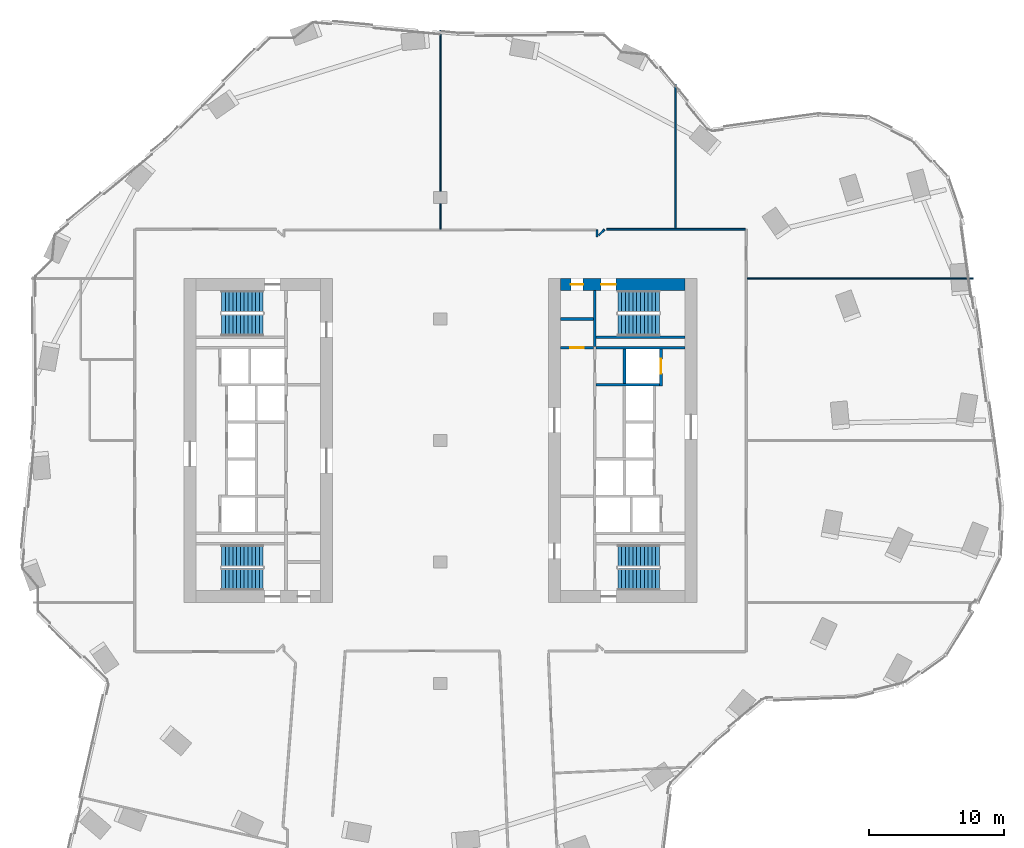
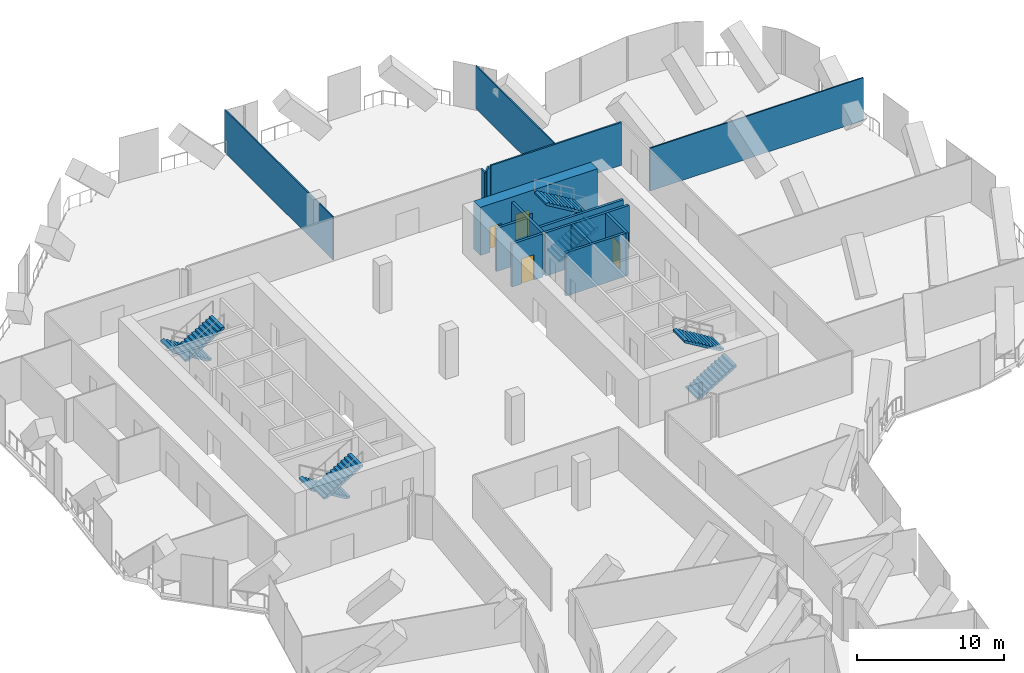
# One storey, part 25 of 29: 15 walls, 8 stair flights, 4 doors, 4 openings, 4 elements without a shape of their own.
"""IFC4 building model written with IfcOpenShell, lengths in metres."""

from ifc_helpers import new_model, si_unit, direction, frame, frame_2d, origin, place, context, subcontext, project, spatial, polyline, rectangle, outline, extrude, material, layer, layer_set, type_object, element, fill, aggregate, save


model = new_model("IFC4")

# Units and contexts
model_context = context("Model", 3, precision=1e-05, world=origin(), true_north=direction((0.0, 1.0)))
body_context = subcontext(model_context, "Body", "Model", "MODEL_VIEW")
ifc_project = project(units=[si_unit("LENGTHUNIT", "METRE"), si_unit("AREAUNIT", "SQUARE_METRE"), si_unit("VOLUMEUNIT", "CUBIC_METRE"), si_unit("PLANEANGLEUNIT", "RADIAN"), si_unit("MASSUNIT", "GRAM", prefix="KILO")], contexts=[model_context])

# Site, building, storey
site_placement = place(None, origin())
site = spatial("IfcSite", under=ifc_project, at=site_placement, CompositionType="ELEMENT")
building_placement = place(site_placement, origin())
building = spatial("IfcBuilding", under=site, at=building_placement, Name="Orlundy Tower", CompositionType="ELEMENT")
storey_placement = place(building_placement, frame((0.0, 0.0, 184.60009765625)))
storey = spatial("IfcBuildingStorey", under=building, at=storey_placement, Name="L48", CompositionType="ELEMENT", Elevation=184.60009765625)

# Wall, openings, doors
ifc_material_1 = material(Name="Concrete C70/85", Category="concrete")
ifc_layer_1 = layer(ifc_material_1, 0.89990234375)
ifc_layer_set_1 = layer_set([ifc_layer_1], Name="CORE WALL 900 C70/85")
wall_type_1 = type_object("IfcWallType", Name="CORE WALL 900 C70/85", PredefinedType="SHEAR", material=ifc_layer_set_1)
wall_1_placement = place(storey_placement, frame((8.89990234375, 11.550048828125, 0.0), z_axis=(0.0, 0.0, 1.0), x_axis=(1.0, 0.0, 0.0)))
wall_1 = element("IfcWall", 1, at=wall_1_placement, inside=storey, type_object=wall_type_1, Name="Core wall E-N L48", PredefinedType="SHEAR", context=body_context, shape_type="SweptSolid", body=[
    extrude(rectangle(XDim=9.2001953125, YDim=0.89990234375, at=frame_2d((4.60009765625, 0.0))), origin(), (0.0, 0.0, 1.0), 4.0),
])
opening_1_placement = place(wall_1_placement, frame((3.0, 0.0, 0.0)))
opening_1 = element("IfcOpeningElement", 2, at=opening_1_placement, cuts=wall_1, Name="Opening 37062", PredefinedType="OPENING", context=body_context, shape_type="SweptSolid", body=[
    extrude(rectangle(XDim=1.10009765625, YDim=2.10009765625, at=frame_2d((0.550048828125, 1.050048828125))), frame((0.0, 0.4599609375, 0.0), z_axis=(0.0, -1.0, 0.0), x_axis=(1.0, 0.0, 0.0)), (0.0, 0.0, 1.0), 0.919921875),
])
opening_2_placement = place(wall_1_placement, frame((0.77001953125, 0.0, 0.0)))
opening_2 = element("IfcOpeningElement", 3, at=opening_2_placement, cuts=wall_1, Name="Opening 37064", PredefinedType="OPENING", context=body_context, shape_type="SweptSolid", body=[
    extrude(rectangle(XDim=0.89990234375, YDim=2.10009765625, at=frame_2d((0.449951171875, 1.050048828125))), frame((0.0, 0.4599609375, 0.0), z_axis=(0.0, -1.0, 0.0), x_axis=(1.0, 0.0, 0.0)), (0.0, 0.0, 1.0), 0.919921875),
])
ifc_material_2 = material(Name="Timber door set", Category="wood")
door_type_1 = type_object("IfcDoorType", Name="Room Door 900x2100", OperationType="SINGLE_SWING_LEFT", PredefinedType="DOOR", material=ifc_material_2)
door_1_placement = place(opening_2_placement, origin())
door_1 = element("IfcDoor", 4, at=door_1_placement, inside=storey, type_object=door_type_1, Name="Store door 37064", OperationType="SINGLE_SWING_LEFT", OverallHeight=2.10009765625, OverallWidth=0.89990234375, PredefinedType="DOOR", context=body_context, shape_type="SweptSolid", body=[
    extrude(rectangle(XDim=0.89990234375, YDim=2.10009765625, at=frame_2d((0.449951171875, 1.050048828125))), frame((0.0, 0.02490234375, 0.0), z_axis=(0.0, -1.0, 0.0), x_axis=(1.0, 0.0, 0.0)), (0.0, 0.0, 1.0), 0.050048828125),
])
fill(opening_2, door_1)
ifc_material_3 = material(Name="Steel door set", Category="steel")
door_type_2 = type_object("IfcDoorType", Name="Stair Door 1100x2100", OperationType="SINGLE_SWING_LEFT", PredefinedType="DOOR", material=ifc_material_3)
door_2_placement = place(opening_1_placement, origin())
door_2 = element("IfcDoor", 5, at=door_2_placement, inside=storey, type_object=door_type_2, Name="Stair door 37062", OperationType="SINGLE_SWING_LEFT", OverallHeight=2.10009765625, OverallWidth=1.10009765625, PredefinedType="DOOR", context=body_context, shape_type="SweptSolid", body=[
    extrude(rectangle(XDim=1.10009765625, YDim=2.10009765625, at=frame_2d((0.550048828125, 1.050048828125))), frame((0.0, 0.02490234375, 0.0), z_axis=(0.0, -1.0, 0.0), x_axis=(1.0, 0.0, 0.0)), (0.0, 0.0, 1.0), 0.050048828125),
])
fill(opening_1, door_2)

# Walls
ifc_material_4 = material(Name="Gypsum board partition")
ifc_layer_2 = layer(ifc_material_4, 0.10009765625)
ifc_layer_set_2 = layer_set([ifc_layer_2], Name="Floor partition 100")
wall_type_2 = type_object("IfcWallType", Name="Floor partition 100", PredefinedType="PARTITIONING", material=ifc_layer_set_2)
wall_2_placement = place(storey_placement, frame((22.7119140625, 12.0, 0.0), z_axis=(0.0, 0.0, 1.0), x_axis=(1.0, 0.0, 0.0)))
element("IfcWall", 6, at=wall_2_placement, inside=storey, type_object=wall_type_2, Name="wall-int-L48-044", PredefinedType="PARTITIONING", context=body_context, shape_type="SweptSolid", body=[
    extrude(rectangle(XDim=16.77099609375, YDim=0.10009765625, at=frame_2d((8.385498046875, 0.0))), origin(), (0.0, 0.0, 1.0), 3.559814453125),
])
wall_3_placement = place(storey_placement, frame((17.405029296875, 15.712890625, 0.0), z_axis=(0.0, 0.0, 1.0), x_axis=(0.0, 1.0, 0.0)))
element("IfcWall", 7, at=wall_3_placement, inside=storey, type_object=wall_type_2, Name="wall-int-L48-083", PredefinedType="PARTITIONING", context=body_context, shape_type="SweptSolid", body=[
    extrude(rectangle(XDim=10.68701171875, YDim=0.10009765625, at=frame_2d((5.343505859375, 0.0))), origin(), (0.0, 0.0, 1.0), 3.559814453125),
])
wall_4_placement = place(storey_placement, frame((0.0, 15.6640625, 0.0), z_axis=(0.0, 0.0, 1.0), x_axis=(0.0, 1.0, 0.0)))
element("IfcWall", 8, at=wall_4_placement, inside=storey, type_object=wall_type_2, Name="wall-int-L48-092", PredefinedType="PARTITIONING", context=body_context, shape_type="SweptSolid", body=[
    extrude(rectangle(XDim=14.717041015625, YDim=0.10009765625, at=frame_2d((7.3583984375, 0.0))), origin(), (0.0, 0.0, 1.0), 3.559814453125),
])
ifc_material_5 = material(Name="Gypsum board partition, double layer")
ifc_layer_3 = layer(ifc_material_5, 0.125)
ifc_layer_set_3 = layer_set([ifc_layer_3], Name="Floor partition 125")
wall_type_3 = type_object("IfcWallType", Name="Floor partition 125", PredefinedType="PARTITIONING", material=ifc_layer_set_3)
wall_5_placement = place(storey_placement, frame((12.31103515625, 15.65087890625, 0.0), z_axis=(0.0, 0.0, 1.0), x_axis=(1.0, 0.0, 0.0)))
element("IfcWall", 9, at=wall_5_placement, inside=storey, type_object=wall_type_3, Name="wall-int-L48-047", PredefinedType="PARTITIONING", context=body_context, shape_type="SweptSolid", body=[
    extrude(rectangle(XDim=10.27587890625, YDim=0.125, at=frame_2d((5.137939453125, 0.0))), origin(), (0.0, 0.0, 1.0), 3.559814453125),
])
wall_6_placement = place(storey_placement, frame((11.72998046875, 15.20703125, 0.0), z_axis=(0.0, 0.0, 1.0), x_axis=(0.707310822952, 0.706902680526, 0.0)))
element("IfcWall", 10, at=wall_6_placement, inside=storey, type_object=wall_type_3, Name="wall-int-L48-060", PredefinedType="PARTITIONING", context=body_context, shape_type="SweptSolid", body=[
    extrude(rectangle(XDim=0.59814453125, YDim=0.125, at=frame_2d((0.299072265625, 0.0))), origin(), (0.0, 0.0, 1.0), 3.559814453125),
])
wall_7_placement = place(storey_placement, frame((11.60107421875, 15.092041015625, 0.0), z_axis=(0.0, 0.0, 1.0), x_axis=(0.0, 1.0, 0.0)))
element("IfcWall", 11, at=wall_7_placement, inside=storey, type_object=wall_type_3, Name="wall-int-L48-085", PredefinedType="PARTITIONING", context=body_context, shape_type="SweptSolid", body=[
    extrude(rectangle(XDim=0.508056640625, YDim=0.125, at=frame_2d((0.25390625, 0.0))), origin(), (0.0, 0.0, 1.0), 3.559814453125),
])
ifc_material_6 = material(Name="Concrete C40/50", Category="concrete")
ifc_layer_4 = layer(ifc_material_6, 0.199951171875)
ifc_layer_set_4 = layer_set([ifc_layer_4], Name="Load-bearing Shaft Wall 200")
wall_type_4 = type_object("IfcWallType", Name="Load-bearing Shaft Wall 200", PredefinedType="SOLIDWALL", material=ifc_layer_set_4)
wall_8_placement = place(storey_placement, frame((11.43994140625, 11.10009765625, 0.0), z_axis=(0.0, 0.0, 1.0), x_axis=(0.0, -1.0, 0.0)))
element("IfcWall", 12, at=wall_8_placement, inside=storey, type_object=wall_type_4, Name="Shaft wall E37-stair-end-s", PredefinedType="SOLIDWALL", context=body_context, shape_type="SweptSolid", body=[
    extrude(rectangle(XDim=4.125, YDim=0.199951171875, at=frame_2d((2.0625, 0.0))), origin(), (0.0, 0.0, 1.0), 3.579833984375),
])
wall_9_placement = place(storey_placement, frame((11.5400390625, 7.64990234375, 0.0), z_axis=(0.0, 0.0, 1.0), x_axis=(1.0, 0.0, 0.0)))
element("IfcWall", 13, at=wall_9_placement, inside=storey, type_object=wall_type_4, Name="Shaft wall E37-stair-side-s", PredefinedType="SOLIDWALL", context=body_context, shape_type="SweptSolid", body=[
    extrude(rectangle(XDim=6.56005859375, YDim=0.199951171875, at=frame_2d((3.280029296875, 0.0))), origin(), (0.0, 0.0, 1.0), 3.579833984375),
])

# Wall, opening, door
ifc_material_7 = material(Name="Gypsum board partition on steel studs", Category="steel")
ifc_layer_5 = layer(ifc_material_7, 0.199951171875)
ifc_layer_set_5 = layer_set([ifc_layer_5], Name="Partition 200")
wall_type_5 = type_object("IfcWallType", Name="Partition 200", PredefinedType="PARTITIONING", material=ifc_layer_set_5)
wall_10_placement = place(storey_placement, frame((8.89990234375, 6.875, 0.0), z_axis=(0.0, 0.0, 1.0), x_axis=(1.0, 0.0, 0.0)))
wall_10 = element("IfcWall", 14, at=wall_10_placement, inside=storey, type_object=wall_type_5, Name="Partition wall E37-end-s", PredefinedType="PARTITIONING", context=body_context, shape_type="SweptSolid", body=[
    extrude(rectangle(XDim=2.440185546875, YDim=0.199951171875, at=frame_2d((1.22021484375, 0.0))), origin(), (0.0, 0.0, 1.0), 3.579833984375),
])
opening_3_placement = place(wall_10_placement, frame((0.719970703125, 0.0, 0.0)))
opening_3 = element("IfcOpeningElement", 15, at=opening_3_placement, cuts=wall_10, Name="Opening 37065", PredefinedType="OPENING", context=body_context, shape_type="SweptSolid", body=[
    extrude(rectangle(XDim=1.0, YDim=2.10009765625, at=frame_2d((0.5, 1.050048828125))), frame((0.0, 0.110107421875, 0.0), z_axis=(0.0, -1.0, 0.0), x_axis=(1.0, 0.0, 0.0)), (0.0, 0.0, 1.0), 0.22021484375),
])
ifc_material_8 = material(Name="Timber door set", Category="wood")
door_type_3 = type_object("IfcDoorType", Name="Accessible Door 1000x2100", OperationType="SINGLE_SWING_LEFT", PredefinedType="DOOR", material=ifc_material_8)
door_3_placement = place(opening_3_placement, origin())
door_3 = element("IfcDoor", 16, at=door_3_placement, inside=storey, type_object=door_type_3, Name="Accessible WC door 37065", OperationType="SINGLE_SWING_RIGHT", OverallHeight=2.10009765625, OverallWidth=1.0, PredefinedType="DOOR", context=body_context, shape_type="SweptSolid", body=[
    extrude(rectangle(XDim=1.0, YDim=2.10009765625, at=frame_2d((0.5, 1.050048828125))), frame((0.0, 0.02490234375, 0.0), z_axis=(0.0, -1.0, 0.0), x_axis=(1.0, 0.0, 0.0)), (0.0, 0.0, 1.0), 0.050048828125),
])
fill(opening_3, door_3)

# Walls
wall_11_placement = place(storey_placement, frame((8.89990234375, 9.0, 0.0), z_axis=(0.0, 0.0, 1.0), x_axis=(1.0, 0.0, 0.0)))
element("IfcWall", 17, at=wall_11_placement, inside=storey, type_object=wall_type_5, Name="Partition wall E37-room-s0", PredefinedType="PARTITIONING", context=body_context, shape_type="SweptSolid", body=[
    extrude(rectangle(XDim=2.440185546875, YDim=0.199951171875, at=frame_2d((1.22021484375, 0.0))), origin(), (0.0, 0.0, 1.0), 3.579833984375),
])
ifc_material_9 = material(Name="Fire-rated blockwork shaft wall", Category="masonry")
ifc_layer_6 = layer(ifc_material_9, 0.199951171875)
ifc_layer_set_6 = layer_set([ifc_layer_6], Name="Shaft Wall 200")
wall_type_6 = type_object("IfcWallType", Name="Shaft Wall 200", PredefinedType="SOLIDWALL", material=ifc_layer_set_6)
wall_12_placement = place(storey_placement, frame((11.5400390625, 6.875, 0.0), z_axis=(0.0, 0.0, 1.0), x_axis=(1.0, 0.0, 0.0)))
element("IfcWall", 18, at=wall_12_placement, inside=storey, type_object=wall_type_6, Name="Shaft wall E37-zone-s", PredefinedType="SOLIDWALL", context=body_context, shape_type="SweptSolid", body=[
    extrude(rectangle(XDim=6.56005859375, YDim=0.199951171875, at=frame_2d((3.280029296875, 0.0))), origin(), (0.0, 0.0, 1.0), 3.579833984375),
])
wall_13_placement = place(storey_placement, frame((11.5400390625, 4.125, 0.0), z_axis=(0.0, 0.0, 1.0), x_axis=(1.0, 0.0, 0.0)))
element("IfcWall", 19, at=wall_13_placement, inside=storey, type_object=wall_type_6, Name="Shaft wall E37-cross-4.125", PredefinedType="SOLIDWALL", context=body_context, shape_type="SweptSolid", body=[
    extrude(rectangle(XDim=4.699951171875, YDim=0.199951171875, at=frame_2d((2.35009765625, 0.0))), origin(), (0.0, 0.0, 1.0), 3.579833984375),
])
wall_14_placement = place(storey_placement, frame((13.639892578125, 6.77490234375, 0.0), z_axis=(0.0, 0.0, 1.0), x_axis=(0.0, -1.0, 0.0)))
element("IfcWall", 20, at=wall_14_placement, inside=storey, type_object=wall_type_6, Name="Shaft wall E37-mid-a", PredefinedType="SOLIDWALL", context=body_context, shape_type="SweptSolid", body=[
    extrude(rectangle(XDim=2.5498046875, YDim=0.199951171875, at=frame_2d((1.27490234375, 0.0))), origin(), (0.0, 0.0, 1.0), 3.579833984375),
])

# Wall, opening, door
wall_15_placement = place(storey_placement, frame((16.340087890625, 6.77490234375, 0.0), z_axis=(0.0, 0.0, 1.0), x_axis=(0.0, -1.0, 0.0)))
wall_15 = element("IfcWall", 21, at=wall_15_placement, inside=storey, type_object=wall_type_6, Name="Shaft wall E37-front-o-a", PredefinedType="SOLIDWALL", context=body_context, shape_type="SweptSolid", body=[
    extrude(rectangle(XDim=2.75, YDim=0.199951171875, at=frame_2d((1.375, 0.0))), origin(), (0.0, 0.0, 1.0), 3.579833984375),
])
opening_4_placement = place(wall_15_placement, frame((0.72509765625, 0.0, 0.0)))
opening_4 = element("IfcOpeningElement", 22, at=opening_4_placement, cuts=wall_15, Name="Opening 37050", PredefinedType="OPENING", context=body_context, shape_type="SweptSolid", body=[
    extrude(rectangle(XDim=1.10009765625, YDim=2.10009765625, at=frame_2d((0.550048828125, 1.050048828125))), frame((0.0, 0.110107421875, 0.0), z_axis=(0.0, -1.0, 0.0), x_axis=(1.0, 0.0, 0.0)), (0.0, 0.0, 1.0), 0.22021484375),
])
ifc_material_10 = material(Name="Steel door set", Category="steel")
door_type_4 = type_object("IfcDoorType", Name="Landing Door 1100x2100", OperationType="DOUBLE_DOOR_SLIDING", PredefinedType="DOOR", material=ifc_material_10)
door_4_placement = place(opening_4_placement, origin())
door_4 = element("IfcDoor", 23, at=door_4_placement, inside=storey, type_object=door_type_4, Name="Lift landing door LV-02 37050", OperationType="DOUBLE_DOOR_SLIDING", OverallHeight=2.10009765625, OverallWidth=1.10009765625, PredefinedType="DOOR", context=body_context, shape_type="SweptSolid", body=[
    extrude(rectangle(XDim=1.10009765625, YDim=2.10009765625, at=frame_2d((0.550048828125, 1.050048828125))), frame((0.0, 0.02490234375, 0.0), z_axis=(0.0, -1.0, 0.0), x_axis=(1.0, 0.0, 0.0)), (0.0, 0.0, 1.0), 0.050048828125),
])
fill(opening_4, door_4)

# Stair, stair flights
ifc_material_11 = material(Name="Concrete C50/60", Category="concrete")
stair_type = type_object("IfcStairType", Name="Exit Stair 24 risers", PredefinedType="HALF_TURN_STAIR", material=ifc_material_11)
stair_1_placement = place(storey_placement, origin())
stair_1 = element("IfcStair", 24, at=stair_1_placement, inside=storey, type_object=stair_type, Name="L48 Exit Stair ST-W1", PredefinedType="HALF_TURN_STAIR")
ifc_material_12 = material(Name="Concrete C50/60", Category="concrete")
stair_flight_type = type_object("IfcStairFlightType", Name="Stair Flight 12 risers", PredefinedType="STRAIGHT", material=ifc_material_12)
stair_flight_1_placement = place(storey_placement, frame((-13.139892578125, 10.300048828125, 0.0), z_axis=(0.0, 0.0, 1.0), x_axis=(-1.0, 0.0, 0.0)))
stair_flight_1 = element("IfcStairFlight", 25, at=stair_flight_1_placement, type_object=stair_flight_type, Name="ST-W1 flight 1", NumberOfRisers=12, NumberOfTreads=11, PredefinedType="STRAIGHT", RiserHeight=0.166666667, TreadLength=0.28, context=body_context, shape_type="SweptSolid", body=[
    extrude(outline(polyline([(0.0, 0.0), (0.0, 0.166748046875), (0.280029296875, 0.166748046875), (0.280029296875, 0.333251953125), (0.56005859375, 0.333251953125), (0.56005859375, 0.5), (0.840087890625, 0.5), (0.840087890625, 0.666748046875), (1.1201171875, 0.666748046875), (1.1201171875, 0.833251953125), (1.39990234375, 0.833251953125), (1.39990234375, 1.0), (1.679931640625, 1.0), (1.679931640625, 1.166748046875), (1.9599609375, 1.166748046875), (1.9599609375, 1.333251953125), (2.239990234375, 1.333251953125), (2.239990234375, 1.5), (2.52001953125, 1.5), (2.52001953125, 1.666748046875), (2.800048828125, 1.666748046875), (2.800048828125, 1.833251953125), (3.080078125, 1.833251953125), (3.080078125, 2.0), (3.080078125, 1.658935546875), (0.29296875, 0.0), (0.0, 0.0)])), frame((0.0, 0.800048828125, 0.0), z_axis=(0.0, -1.0, 0.0), x_axis=(1.0, 0.0, 0.0)), (0.0, 0.0, 1.0), 1.60009765625),
])
stair_flight_2_placement = place(storey_placement, frame((-16.219970703125, 8.550048828125, 2.0), z_axis=(0.0, 0.0, 1.0), x_axis=(1.0, 0.0, 0.0)))
stair_flight_2 = element("IfcStairFlight", 26, at=stair_flight_2_placement, type_object=stair_flight_type, Name="ST-W1 flight 2", NumberOfRisers=12, NumberOfTreads=11, PredefinedType="STRAIGHT", RiserHeight=0.166666667, TreadLength=0.28, context=body_context, shape_type="SweptSolid", body=[
    extrude(outline(polyline([(0.0, 0.0), (0.0, 0.166748046875), (0.280029296875, 0.166748046875), (0.280029296875, 0.333251953125), (0.56005859375, 0.333251953125), (0.56005859375, 0.5), (0.840087890625, 0.5), (0.840087890625, 0.666748046875), (1.1201171875, 0.666748046875), (1.1201171875, 0.833251953125), (1.39990234375, 0.833251953125), (1.39990234375, 1.0), (1.679931640625, 1.0), (1.679931640625, 1.166748046875), (1.9599609375, 1.166748046875), (1.9599609375, 1.333251953125), (2.239990234375, 1.333251953125), (2.239990234375, 1.5), (2.52001953125, 1.5), (2.52001953125, 1.666748046875), (2.800048828125, 1.666748046875), (2.800048828125, 1.833251953125), (3.080078125, 1.833251953125), (3.080078125, 2.0), (3.080078125, 1.658935546875), (0.29296875, 0.0), (0.0, 0.0)])), frame((0.0, 0.800048828125, 0.0), z_axis=(0.0, -1.0, 0.0), x_axis=(1.0, 0.0, 0.0)), (0.0, 0.0, 1.0), 1.60009765625),
])
aggregate(stair_1, [stair_flight_1, stair_flight_2])

stair_2_placement = place(storey_placement, origin())
stair_2 = element("IfcStair", 27, at=stair_2_placement, inside=storey, type_object=stair_type, Name="L48 Exit Stair ST-W2", PredefinedType="HALF_TURN_STAIR")
stair_flight_3_placement = place(storey_placement, frame((-13.139892578125, -8.550048828125, 0.0), z_axis=(0.0, 0.0, 1.0), x_axis=(-1.0, 0.0, 0.0)))
stair_flight_3 = element("IfcStairFlight", 28, at=stair_flight_3_placement, type_object=stair_flight_type, Name="ST-W2 flight 1", NumberOfRisers=12, NumberOfTreads=11, PredefinedType="STRAIGHT", RiserHeight=0.166666667, TreadLength=0.28, context=body_context, shape_type="SweptSolid", body=[
    extrude(outline(polyline([(0.0, 0.0), (0.0, 0.166748046875), (0.280029296875, 0.166748046875), (0.280029296875, 0.333251953125), (0.56005859375, 0.333251953125), (0.56005859375, 0.5), (0.840087890625, 0.5), (0.840087890625, 0.666748046875), (1.1201171875, 0.666748046875), (1.1201171875, 0.833251953125), (1.39990234375, 0.833251953125), (1.39990234375, 1.0), (1.679931640625, 1.0), (1.679931640625, 1.166748046875), (1.9599609375, 1.166748046875), (1.9599609375, 1.333251953125), (2.239990234375, 1.333251953125), (2.239990234375, 1.5), (2.52001953125, 1.5), (2.52001953125, 1.666748046875), (2.800048828125, 1.666748046875), (2.800048828125, 1.833251953125), (3.080078125, 1.833251953125), (3.080078125, 2.0), (3.080078125, 1.658935546875), (0.29296875, 0.0), (0.0, 0.0)])), frame((0.0, 0.800048828125, 0.0), z_axis=(0.0, -1.0, 0.0), x_axis=(1.0, 0.0, 0.0)), (0.0, 0.0, 1.0), 1.60009765625),
])
stair_flight_4_placement = place(storey_placement, frame((-16.219970703125, -10.300048828125, 2.0), z_axis=(0.0, 0.0, 1.0), x_axis=(1.0, 0.0, 0.0)))
stair_flight_4 = element("IfcStairFlight", 29, at=stair_flight_4_placement, type_object=stair_flight_type, Name="ST-W2 flight 2", NumberOfRisers=12, NumberOfTreads=11, PredefinedType="STRAIGHT", RiserHeight=0.166666667, TreadLength=0.28, context=body_context, shape_type="SweptSolid", body=[
    extrude(outline(polyline([(0.0, 0.0), (0.0, 0.166748046875), (0.280029296875, 0.166748046875), (0.280029296875, 0.333251953125), (0.56005859375, 0.333251953125), (0.56005859375, 0.5), (0.840087890625, 0.5), (0.840087890625, 0.666748046875), (1.1201171875, 0.666748046875), (1.1201171875, 0.833251953125), (1.39990234375, 0.833251953125), (1.39990234375, 1.0), (1.679931640625, 1.0), (1.679931640625, 1.166748046875), (1.9599609375, 1.166748046875), (1.9599609375, 1.333251953125), (2.239990234375, 1.333251953125), (2.239990234375, 1.5), (2.52001953125, 1.5), (2.52001953125, 1.666748046875), (2.800048828125, 1.666748046875), (2.800048828125, 1.833251953125), (3.080078125, 1.833251953125), (3.080078125, 2.0), (3.080078125, 1.658935546875), (0.29296875, 0.0), (0.0, 0.0)])), frame((0.0, 0.800048828125, 0.0), z_axis=(0.0, -1.0, 0.0), x_axis=(1.0, 0.0, 0.0)), (0.0, 0.0, 1.0), 1.60009765625),
])
aggregate(stair_2, [stair_flight_3, stair_flight_4])

stair_3_placement = place(storey_placement, origin())
stair_3 = element("IfcStair", 30, at=stair_3_placement, inside=storey, type_object=stair_type, Name="L48 Exit Stair ST-E1", PredefinedType="HALF_TURN_STAIR")
stair_flight_5_placement = place(storey_placement, frame((13.139892578125, -10.300048828125, 0.0), z_axis=(0.0, 0.0, 1.0), x_axis=(1.0, 0.0, 0.0)))
stair_flight_5 = element("IfcStairFlight", 31, at=stair_flight_5_placement, type_object=stair_flight_type, Name="ST-E1 flight 1", NumberOfRisers=12, NumberOfTreads=11, PredefinedType="STRAIGHT", RiserHeight=0.166666667, TreadLength=0.28, context=body_context, shape_type="SweptSolid", body=[
    extrude(outline(polyline([(0.0, 0.0), (0.0, 0.166748046875), (0.280029296875, 0.166748046875), (0.280029296875, 0.333251953125), (0.56005859375, 0.333251953125), (0.56005859375, 0.5), (0.840087890625, 0.5), (0.840087890625, 0.666748046875), (1.1201171875, 0.666748046875), (1.1201171875, 0.833251953125), (1.39990234375, 0.833251953125), (1.39990234375, 1.0), (1.679931640625, 1.0), (1.679931640625, 1.166748046875), (1.9599609375, 1.166748046875), (1.9599609375, 1.333251953125), (2.239990234375, 1.333251953125), (2.239990234375, 1.5), (2.52001953125, 1.5), (2.52001953125, 1.666748046875), (2.800048828125, 1.666748046875), (2.800048828125, 1.833251953125), (3.080078125, 1.833251953125), (3.080078125, 2.0), (3.080078125, 1.658935546875), (0.29296875, 0.0), (0.0, 0.0)])), frame((0.0, 0.800048828125, 0.0), z_axis=(0.0, -1.0, 0.0), x_axis=(1.0, 0.0, 0.0)), (0.0, 0.0, 1.0), 1.60009765625),
])
stair_flight_6_placement = place(storey_placement, frame((16.219970703125, -8.550048828125, 2.0), z_axis=(0.0, 0.0, 1.0), x_axis=(-1.0, 0.0, 0.0)))
stair_flight_6 = element("IfcStairFlight", 32, at=stair_flight_6_placement, type_object=stair_flight_type, Name="ST-E1 flight 2", NumberOfRisers=12, NumberOfTreads=11, PredefinedType="STRAIGHT", RiserHeight=0.166666667, TreadLength=0.28, context=body_context, shape_type="SweptSolid", body=[
    extrude(outline(polyline([(0.0, 0.0), (0.0, 0.166748046875), (0.280029296875, 0.166748046875), (0.280029296875, 0.333251953125), (0.56005859375, 0.333251953125), (0.56005859375, 0.5), (0.840087890625, 0.5), (0.840087890625, 0.666748046875), (1.1201171875, 0.666748046875), (1.1201171875, 0.833251953125), (1.39990234375, 0.833251953125), (1.39990234375, 1.0), (1.679931640625, 1.0), (1.679931640625, 1.166748046875), (1.9599609375, 1.166748046875), (1.9599609375, 1.333251953125), (2.239990234375, 1.333251953125), (2.239990234375, 1.5), (2.52001953125, 1.5), (2.52001953125, 1.666748046875), (2.800048828125, 1.666748046875), (2.800048828125, 1.833251953125), (3.080078125, 1.833251953125), (3.080078125, 2.0), (3.080078125, 1.658935546875), (0.29296875, 0.0), (0.0, 0.0)])), frame((0.0, 0.800048828125, 0.0), z_axis=(0.0, -1.0, 0.0), x_axis=(1.0, 0.0, 0.0)), (0.0, 0.0, 1.0), 1.60009765625),
])
aggregate(stair_3, [stair_flight_5, stair_flight_6])

stair_4_placement = place(storey_placement, origin())
stair_4 = element("IfcStair", 33, at=stair_4_placement, inside=storey, type_object=stair_type, Name="L48 Exit Stair ST-E2", PredefinedType="HALF_TURN_STAIR")
stair_flight_7_placement = place(storey_placement, frame((13.139892578125, 8.550048828125, 0.0), z_axis=(0.0, 0.0, 1.0), x_axis=(1.0, 0.0, 0.0)))
stair_flight_7 = element("IfcStairFlight", 34, at=stair_flight_7_placement, type_object=stair_flight_type, Name="ST-E2 flight 1", NumberOfRisers=12, NumberOfTreads=11, PredefinedType="STRAIGHT", RiserHeight=0.166666667, TreadLength=0.28, context=body_context, shape_type="SweptSolid", body=[
    extrude(outline(polyline([(0.0, 0.0), (0.0, 0.166748046875), (0.280029296875, 0.166748046875), (0.280029296875, 0.333251953125), (0.56005859375, 0.333251953125), (0.56005859375, 0.5), (0.840087890625, 0.5), (0.840087890625, 0.666748046875), (1.1201171875, 0.666748046875), (1.1201171875, 0.833251953125), (1.39990234375, 0.833251953125), (1.39990234375, 1.0), (1.679931640625, 1.0), (1.679931640625, 1.166748046875), (1.9599609375, 1.166748046875), (1.9599609375, 1.333251953125), (2.239990234375, 1.333251953125), (2.239990234375, 1.5), (2.52001953125, 1.5), (2.52001953125, 1.666748046875), (2.800048828125, 1.666748046875), (2.800048828125, 1.833251953125), (3.080078125, 1.833251953125), (3.080078125, 2.0), (3.080078125, 1.658935546875), (0.29296875, 0.0), (0.0, 0.0)])), frame((0.0, 0.800048828125, 0.0), z_axis=(0.0, -1.0, 0.0), x_axis=(1.0, 0.0, 0.0)), (0.0, 0.0, 1.0), 1.60009765625),
])
stair_flight_8_placement = place(storey_placement, frame((16.219970703125, 10.300048828125, 2.0), z_axis=(0.0, 0.0, 1.0), x_axis=(-1.0, 0.0, 0.0)))
stair_flight_8 = element("IfcStairFlight", 35, at=stair_flight_8_placement, type_object=stair_flight_type, Name="ST-E2 flight 2", NumberOfRisers=12, NumberOfTreads=11, PredefinedType="STRAIGHT", RiserHeight=0.166666667, TreadLength=0.28, context=body_context, shape_type="SweptSolid", body=[
    extrude(outline(polyline([(0.0, 0.0), (0.0, 0.166748046875), (0.280029296875, 0.166748046875), (0.280029296875, 0.333251953125), (0.56005859375, 0.333251953125), (0.56005859375, 0.5), (0.840087890625, 0.5), (0.840087890625, 0.666748046875), (1.1201171875, 0.666748046875), (1.1201171875, 0.833251953125), (1.39990234375, 0.833251953125), (1.39990234375, 1.0), (1.679931640625, 1.0), (1.679931640625, 1.166748046875), (1.9599609375, 1.166748046875), (1.9599609375, 1.333251953125), (2.239990234375, 1.333251953125), (2.239990234375, 1.5), (2.52001953125, 1.5), (2.52001953125, 1.666748046875), (2.800048828125, 1.666748046875), (2.800048828125, 1.833251953125), (3.080078125, 1.833251953125), (3.080078125, 2.0), (3.080078125, 1.658935546875), (0.29296875, 0.0), (0.0, 0.0)])), frame((0.0, 0.800048828125, 0.0), z_axis=(0.0, -1.0, 0.0), x_axis=(1.0, 0.0, 0.0)), (0.0, 0.0, 1.0), 1.60009765625),
])
aggregate(stair_4, [stair_flight_7, stair_flight_8])

save(model, "model.ifc")
